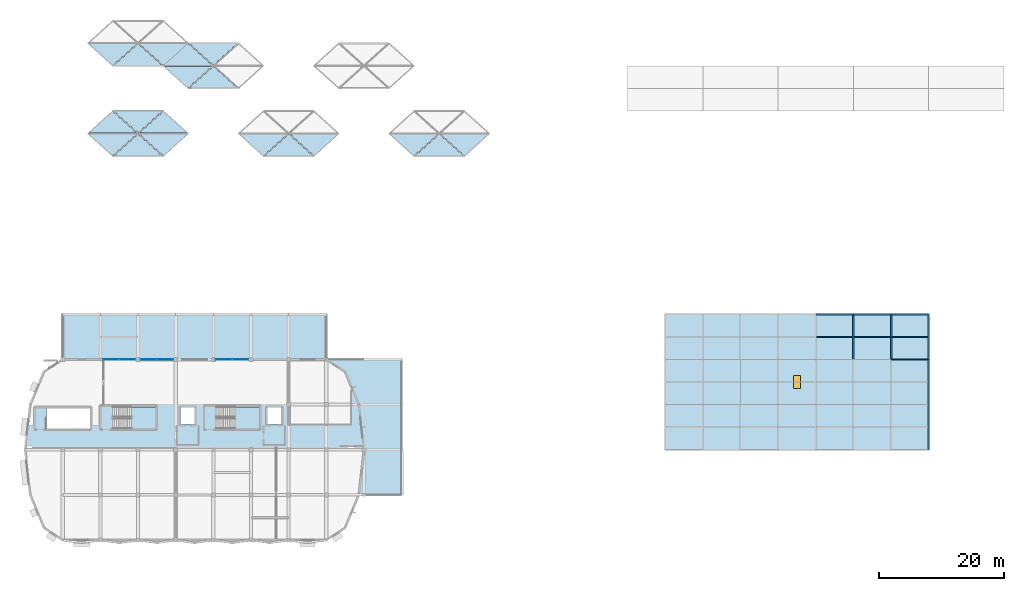
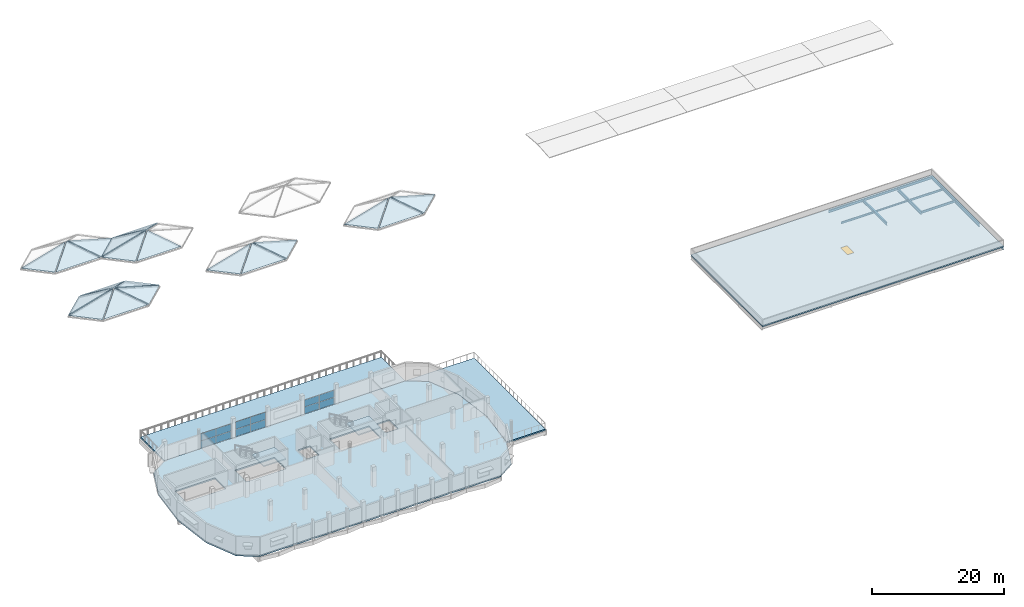
# One storey, part 10 of 19: 25 slabs, 12 beams, 12 plates, 1 window, 1 opening, 5 elements without a shape of their own.
"""IFC4 building model written with IfcOpenShell, lengths in metres."""

from ifc_helpers import new_model, si_unit, direction, frame, origin, origin_2d, place, context, subcontext, project, spatial, polyline, rectangle, i_section, outline, extrude, material, layer, layer_set, material_profile, profile_set, type_object, element, fill, aggregate, save


model = new_model("IFC4")

# Units and contexts
model_context = context("Model", 3, precision=1e-05, world=origin(), true_north=direction((0.0, 1.0)))
body_context = subcontext(model_context, "Body", "Model", "MODEL_VIEW")
ifc_project = project(units=[si_unit("LENGTHUNIT", "METRE"), si_unit("AREAUNIT", "SQUARE_METRE"), si_unit("VOLUMEUNIT", "CUBIC_METRE"), si_unit("PLANEANGLEUNIT", "RADIAN"), si_unit("MASSUNIT", "GRAM", prefix="KILO")], contexts=[model_context])

# Site, building, storey
site_placement = place(None, origin())
site = spatial("IfcSite", under=ifc_project, at=site_placement, CompositionType="ELEMENT")
building_placement = place(site_placement, origin())
building = spatial("IfcBuilding", under=site, at=building_placement, Name="Dunvalen Ferry Terminal", CompositionType="ELEMENT")
storey_placement = place(building_placement, frame((0.0, 0.0, 13.580078125)))
storey = spatial("IfcBuildingStorey", under=building, at=storey_placement, Name="L03", CompositionType="ELEMENT", Elevation=13.580078125)

# Beams
ifc_material_1 = material(Name="Steel S355", Category="steel")
ifc_material_profile_1 = material_profile(ifc_material_1, i_section(OverallWidth=0.1650390625, OverallDepth=0.303466796875, WebThickness=0.006103515625, FlangeThickness=0.01025390625, FilletRadius=0.0087890625, at=origin_2d()), Name="Steel S355")
ifc_profile_set_1 = profile_set([ifc_material_profile_1], Name="Steel S355")
beam_type_1 = type_object("IfcBeamType", Name="STR-BM-UKB305", PredefinedType="JOIST", material=ifc_profile_set_1)
beam_1_placement = place(storey_placement, frame((144.10009765625, 32.39990234375, -0.391845703125), z_axis=(1.0, 0.0, 0.0), x_axis=(0.0, 1.0, 0.0)))
element("IfcBeam", 1, at=beam_1_placement, inside=storey, type_object=beam_type_1, Name="L03 V4P Secondary Joist 018", PredefinedType="JOIST", context=body_context, shape_type="SweptSolid", body=[
    extrude(i_section(OverallWidth=0.1650390625, OverallDepth=0.303466796875, WebThickness=0.006103515625, FlangeThickness=0.01025390625, FilletRadius=0.0087890625, at=origin_2d()), origin(), (0.0, 0.0, 1.0), 5.7998046875),
])
ifc_material_profile_2 = material_profile(ifc_material_1, i_section(OverallWidth=0.17138671875, OverallDepth=0.35498046875, WebThickness=0.00732421875, FlangeThickness=0.011474609375, FilletRadius=0.01025390625, at=origin_2d()), Name="Steel S355")
ifc_profile_set_2 = profile_set([ifc_material_profile_2], Name="Steel S355")
beam_type_2 = type_object("IfcBeamType", Name="STR-BM-UKB356", PredefinedType="JOIST", material=ifc_profile_set_2)
for number, where, z_axis, x_axis, name in (
    (2, (138.10009765625, 32.39990234375, -0.41748046875), (1.0, 0.0, 0.0), (0.0, 1.0, 0.0), "L03 V4P Secondary Joist 015"),
    (3, (150.10009765625, 32.39990234375, -0.41748046875), (1.0, 0.0, 0.0), (0.0, 1.0, 0.0), "L03 V4P Secondary Joist 021"),
):
    element("IfcBeam", number, at=place(storey_placement, frame(where, z_axis=z_axis, x_axis=x_axis)), inside=storey, type_object=beam_type_2, Name=name, PredefinedType="JOIST", context=body_context, shape_type="SweptSolid", body=[
        extrude(i_section(OverallWidth=0.17138671875, OverallDepth=0.35498046875, WebThickness=0.00732421875, FlangeThickness=0.011474609375, FilletRadius=0.01025390625, at=origin_2d()), origin(), (0.0, 0.0, 1.0), 5.7998046875),
    ])
ifc_material_profile_3 = material_profile(ifc_material_1, i_section(OverallWidth=0.177978515625, OverallDepth=0.406494140625, WebThickness=0.0078125, FlangeThickness=0.0126953125, FilletRadius=0.01025390625, at=origin_2d()), Name="Steel S355")
ifc_profile_set_3 = profile_set([ifc_material_profile_3], Name="Steel S355")
beam_type_3 = type_object("IfcBeamType", Name="STR-BM-UKB406", PredefinedType="JOIST", material=ifc_profile_set_3)
for number, where, z_axis, x_axis, name in (
    (4, (150.0, 28.800048828125, -0.443359375), (1.0, 0.0, 0.0), (0.0, 1.0, 0.0), "L03 V4P Primary Beam X-021"),
    (5, (144.0, 36.0, -0.443359375), (1.0, 0.0, 0.0), (0.0, 1.0, 0.0), "L03 V4P Primary Beam X-027"),
):
    element("IfcBeam", number, at=place(storey_placement, frame(where, z_axis=z_axis, x_axis=x_axis)), inside=storey, type_object=beam_type_3, Name=name, PredefinedType="JOIST", context=body_context, shape_type="SweptSolid", body=[
        extrude(i_section(OverallWidth=0.177978515625, OverallDepth=0.406494140625, WebThickness=0.0078125, FlangeThickness=0.0126953125, FilletRadius=0.01025390625, at=origin_2d()), origin(), (0.0, 0.0, 1.0), 6.0),
    ])
ifc_material_profile_4 = material_profile(ifc_material_1, i_section(OverallWidth=0.1904296875, OverallDepth=0.45703125, WebThickness=0.009033203125, FlangeThickness=0.014404296875, FilletRadius=0.01025390625, at=origin_2d()), Name="Steel S355")
ifc_profile_set_4 = profile_set([ifc_material_profile_4], Name="Steel S355")
beam_type_4 = type_object("IfcBeamType", Name="STR-BM-UKB457", PredefinedType="BEAM", material=ifc_profile_set_4)
for number, where, z_axis, x_axis, name in (
    (6, (138.0, 36.0, -0.468505859375), (1.0, 0.0, 0.0), (0.0, 1.0, 0.0), "L03 V4P Primary Beam X-026"),
    (7, (150.0, 36.0, -0.468505859375), (1.0, 0.0, 0.0), (0.0, 1.0, 0.0), "L03 V4P Primary Beam X-028"),
):
    element("IfcBeam", number, at=place(storey_placement, frame(where, z_axis=z_axis, x_axis=x_axis)), inside=storey, type_object=beam_type_4, Name=name, PredefinedType="BEAM", context=body_context, shape_type="SweptSolid", body=[
        extrude(i_section(OverallWidth=0.1904296875, OverallDepth=0.45703125, WebThickness=0.009033203125, FlangeThickness=0.014404296875, FilletRadius=0.01025390625, at=origin_2d()), origin(), (0.0, 0.0, 1.0), 6.0),
    ])
ifc_material_profile_5 = material_profile(ifc_material_1, i_section(OverallWidth=0.209228515625, OverallDepth=0.533203125, WebThickness=0.010009765625, FlangeThickness=0.015625, FilletRadius=0.0126953125, at=origin_2d()), Name="Steel S355")
ifc_profile_set_5 = profile_set([ifc_material_profile_5], Name="Steel S355")
beam_type_5 = type_object("IfcBeamType", Name="STR-BM-UKB533", PredefinedType="BEAM", material=ifc_profile_set_5)
beam_2_placement = place(storey_placement, frame((144.0, 28.800048828125, -0.506591796875), z_axis=(0.0, 1.0, 0.0), x_axis=(-1.0, 0.0, 0.0)))
element("IfcBeam", 8, at=beam_2_placement, inside=storey, type_object=beam_type_5, Name="L03 V4P Primary Girder Y-046", PredefinedType="BEAM", context=body_context, shape_type="SweptSolid", body=[
    extrude(i_section(OverallWidth=0.209228515625, OverallDepth=0.533203125, WebThickness=0.010009765625, FlangeThickness=0.015625, FilletRadius=0.0126953125, at=origin_2d()), origin(), (0.0, 0.0, 1.0), 7.199951171875),
])
beam_3_placement = place(storey_placement, frame((156.0, 14.39990234375, -0.506591796875), z_axis=(0.0, 1.0, 0.0), x_axis=(-1.0, 0.0, 0.0)))
element("IfcBeam", 9, at=beam_3_placement, inside=storey, type_object=beam_type_5, Name="L03 V4P Primary Girder Y-050", PredefinedType="BEAM", context=body_context, shape_type="SweptSolid", body=[
    extrude(i_section(OverallWidth=0.209228515625, OverallDepth=0.533203125, WebThickness=0.010009765625, FlangeThickness=0.015625, FilletRadius=0.0126953125, at=origin_2d()), origin(), (0.0, 0.0, 1.0), 7.2001953125),
])
beam_4_placement = place(storey_placement, frame((156.0, 28.800048828125, -0.506591796875), z_axis=(0.0, 1.0, 0.0), x_axis=(-1.0, 0.0, 0.0)))
element("IfcBeam", 10, at=beam_4_placement, inside=storey, type_object=beam_type_5, Name="L03 V4P Primary Girder Y-052", PredefinedType="BEAM", context=body_context, shape_type="SweptSolid", body=[
    extrude(i_section(OverallWidth=0.209228515625, OverallDepth=0.533203125, WebThickness=0.010009765625, FlangeThickness=0.015625, FilletRadius=0.0126953125, at=origin_2d()), origin(), (0.0, 0.0, 1.0), 7.199951171875),
])
ifc_material_profile_6 = material_profile(ifc_material_1, i_section(OverallWidth=0.228271484375, OverallDepth=0.607666015625, WebThickness=0.010986328125, FlangeThickness=0.017333984375, FilletRadius=0.0126953125, at=origin_2d()), Name="Steel S355")
ifc_profile_set_6 = profile_set([ifc_material_profile_6], Name="Steel S355")
beam_type_6 = type_object("IfcBeamType", Name="STR-BM-UKB610", PredefinedType="BEAM", material=ifc_profile_set_6)
for number, where, z_axis, x_axis, name in (
    (11, (150.0, 28.800048828125, -0.5439453125), (0.0, 1.0, 0.0), (-1.0, 0.0, 0.0), "L03 V4P Primary Girder Y-049"),
    (12, (156.0, 21.60009765625, -0.5439453125), (0.0, 1.0, 0.0), (-1.0, 0.0, 0.0), "L03 V4P Primary Girder Y-051"),
):
    element("IfcBeam", number, at=place(storey_placement, frame(where, z_axis=z_axis, x_axis=x_axis)), inside=storey, type_object=beam_type_6, Name=name, PredefinedType="BEAM", context=body_context, shape_type="SweptSolid", body=[
        extrude(i_section(OverallWidth=0.228271484375, OverallDepth=0.607666015625, WebThickness=0.010986328125, FlangeThickness=0.017333984375, FilletRadius=0.0126953125, at=origin_2d()), origin(), (0.0, 0.0, 1.0), 7.199951171875),
    ])

# Curtain wall, plates
ifc_material_2 = material(Name="Anodised marine aluminium and solar-control glazing", Category="aluminium")
ifc_layer_1 = layer(ifc_material_2, 0.14990234375, Name="Anodised marine aluminium and solar-control glazing")
ifc_layer_set_1 = layer_set([ifc_layer_1], Name="Anodised marine aluminium and solar-control glazing")
curtain_wall_type = type_object("IfcCurtainWallType", Name="ENV-CW-SYS-11", PredefinedType="NOTDEFINED", material=ifc_layer_set_1)
curtain_wall_1_placement = place(storey_placement, origin())
curtain_wall_1 = element("IfcCurtainWall", 13, at=curtain_wall_1_placement, inside=storey, type_object=curtain_wall_type, Name="L03 Curtain Wall CW-V5CORE-L03-7-2", PredefinedType="NOTDEFINED")
ifc_material_3 = material(Name="Low-E solar-control laminated double glazing", Category="glass")
ifc_layer_2 = layer(ifc_material_3, 0.031982421875, Name="Low-E solar-control laminated double glazing")
ifc_layer_set_2 = layer_set([ifc_layer_2], Name="Low-E solar-control laminated double glazing")
plate_type = type_object("IfcPlateType", Name="ENV-CW-PNL-2", PredefinedType="CURTAIN_PANEL", material=ifc_layer_set_2)
plate_1_placement = place(storey_placement, frame((46.30615234375, 28.800048828125, 0.054931640625), z_axis=(0.0, 0.0, 1.0), x_axis=(-1.0, 0.0, 0.0)))
plate_1 = element("IfcPlate", 14, at=plate_1_placement, type_object=plate_type, Name="CW-11 panel 1.1", PredefinedType="CURTAIN_PANEL", context=body_context, shape_type="SweptSolid", body=[
    extrude(rectangle(XDim=2.5576171875, YDim=0.031982421875, at=origin_2d()), origin(), (0.0, 0.0, 1.0), 1.25244140625),
])
plate_2_placement = place(storey_placement, frame((46.30615234375, 28.800048828125, 1.362548828125), z_axis=(0.0, 0.0, 1.0), x_axis=(-1.0, 0.0, 0.0)))
plate_2 = element("IfcPlate", 15, at=plate_2_placement, type_object=plate_type, Name="CW-11 panel 1.2", PredefinedType="CURTAIN_PANEL", context=body_context, shape_type="SweptSolid", body=[
    extrude(rectangle(XDim=2.5576171875, YDim=0.031982421875, at=origin_2d()), origin(), (0.0, 0.0, 1.0), 1.25244140625),
])
plate_3_placement = place(storey_placement, frame((43.69384765625, 28.800048828125, 0.054931640625), z_axis=(0.0, 0.0, 1.0), x_axis=(-1.0, 0.0, 0.0)))
plate_3 = element("IfcPlate", 16, at=plate_3_placement, type_object=plate_type, Name="CW-11 panel 2.1", PredefinedType="CURTAIN_PANEL", context=body_context, shape_type="SweptSolid", body=[
    extrude(rectangle(XDim=2.5576171875, YDim=0.031982421875, at=origin_2d()), origin(), (0.0, 0.0, 1.0), 1.25244140625),
])
plate_4_placement = place(storey_placement, frame((43.69384765625, 28.800048828125, 1.362548828125), z_axis=(0.0, 0.0, 1.0), x_axis=(-1.0, 0.0, 0.0)))
plate_4 = element("IfcPlate", 17, at=plate_4_placement, type_object=plate_type, Name="CW-11 panel 2.2", PredefinedType="CURTAIN_PANEL", context=body_context, shape_type="SweptSolid", body=[
    extrude(rectangle(XDim=2.5576171875, YDim=0.031982421875, at=origin_2d()), origin(), (0.0, 0.0, 1.0), 1.25244140625),
])
aggregate(curtain_wall_1, [plate_1, plate_2, plate_3, plate_4])

curtain_wall_2_placement = place(storey_placement, origin())
curtain_wall_2 = element("IfcCurtainWall", 18, at=curtain_wall_2_placement, inside=storey, type_object=curtain_wall_type, Name="L03 Curtain Wall CW-V5CORE-L03-7-4", PredefinedType="NOTDEFINED")
plate_5_placement = place(storey_placement, frame((34.30615234375, 28.800048828125, 0.05517578125), z_axis=(0.0, 0.0, 1.0), x_axis=(-1.0, 0.0, 0.0)))
plate_5 = element("IfcPlate", 19, at=plate_5_placement, type_object=plate_type, Name="CW-11 panel 1.1", PredefinedType="CURTAIN_PANEL", context=body_context, shape_type="SweptSolid", body=[
    extrude(rectangle(XDim=2.5576171875, YDim=0.031982421875, at=origin_2d()), origin(), (0.0, 0.0, 1.0), 1.327392578125),
])
plate_6_placement = place(storey_placement, frame((34.30615234375, 28.800048828125, 1.4375), z_axis=(0.0, 0.0, 1.0), x_axis=(-1.0, 0.0, 0.0)))
plate_6 = element("IfcPlate", 20, at=plate_6_placement, type_object=plate_type, Name="CW-11 panel 1.2", PredefinedType="CURTAIN_PANEL", context=body_context, shape_type="SweptSolid", body=[
    extrude(rectangle(XDim=2.5576171875, YDim=0.031982421875, at=origin_2d()), origin(), (0.0, 0.0, 1.0), 1.327392578125),
])
plate_7_placement = place(storey_placement, frame((31.69384765625, 28.800048828125, 0.05517578125), z_axis=(0.0, 0.0, 1.0), x_axis=(-1.0, 0.0, 0.0)))
plate_7 = element("IfcPlate", 21, at=plate_7_placement, type_object=plate_type, Name="CW-11 panel 2.1", PredefinedType="CURTAIN_PANEL", context=body_context, shape_type="SweptSolid", body=[
    extrude(rectangle(XDim=2.5576171875, YDim=0.031982421875, at=origin_2d()), origin(), (0.0, 0.0, 1.0), 1.327392578125),
])
plate_8_placement = place(storey_placement, frame((31.69384765625, 28.800048828125, 1.4375), z_axis=(0.0, 0.0, 1.0), x_axis=(-1.0, 0.0, 0.0)))
plate_8 = element("IfcPlate", 22, at=plate_8_placement, type_object=plate_type, Name="CW-11 panel 2.2", PredefinedType="CURTAIN_PANEL", context=body_context, shape_type="SweptSolid", body=[
    extrude(rectangle(XDim=2.5576171875, YDim=0.031982421875, at=origin_2d()), origin(), (0.0, 0.0, 1.0), 1.327392578125),
])
aggregate(curtain_wall_2, [plate_5, plate_6, plate_7, plate_8])

curtain_wall_3_placement = place(storey_placement, origin())
curtain_wall_3 = element("IfcCurtainWall", 23, at=curtain_wall_3_placement, inside=storey, type_object=curtain_wall_type, Name="L03 Curtain Wall CW-V5CORE-L03-7-5", PredefinedType="NOTDEFINED")
plate_9_placement = place(storey_placement, frame((28.30615234375, 28.800048828125, 0.0546875), z_axis=(0.0, 0.0, 1.0), x_axis=(-1.0, 0.0, 0.0)))
plate_9 = element("IfcPlate", 24, at=plate_9_placement, type_object=plate_type, Name="CW-11 panel 1.1", PredefinedType="CURTAIN_PANEL", context=body_context, shape_type="SweptSolid", body=[
    extrude(rectangle(XDim=2.5576171875, YDim=0.031982421875, at=origin_2d()), origin(), (0.0, 0.0, 1.0), 1.302490234375),
])
plate_10_placement = place(storey_placement, frame((28.30615234375, 28.800048828125, 1.41259765625), z_axis=(0.0, 0.0, 1.0), x_axis=(-1.0, 0.0, 0.0)))
plate_10 = element("IfcPlate", 25, at=plate_10_placement, type_object=plate_type, Name="CW-11 panel 1.2", PredefinedType="CURTAIN_PANEL", context=body_context, shape_type="SweptSolid", body=[
    extrude(rectangle(XDim=2.5576171875, YDim=0.031982421875, at=origin_2d()), origin(), (0.0, 0.0, 1.0), 1.302490234375),
])
plate_11_placement = place(storey_placement, frame((25.69384765625, 28.800048828125, 0.0546875), z_axis=(0.0, 0.0, 1.0), x_axis=(-1.0, 0.0, 0.0)))
plate_11 = element("IfcPlate", 26, at=plate_11_placement, type_object=plate_type, Name="CW-11 panel 2.1", PredefinedType="CURTAIN_PANEL", context=body_context, shape_type="SweptSolid", body=[
    extrude(rectangle(XDim=2.5576171875, YDim=0.031982421875, at=origin_2d()), origin(), (0.0, 0.0, 1.0), 1.302490234375),
])
plate_12_placement = place(storey_placement, frame((25.69384765625, 28.800048828125, 1.41259765625), z_axis=(0.0, 0.0, 1.0), x_axis=(-1.0, 0.0, 0.0)))
plate_12 = element("IfcPlate", 27, at=plate_12_placement, type_object=plate_type, Name="CW-11 panel 2.2", PredefinedType="CURTAIN_PANEL", context=body_context, shape_type="SweptSolid", body=[
    extrude(rectangle(XDim=2.5576171875, YDim=0.031982421875, at=origin_2d()), origin(), (0.0, 0.0, 1.0), 1.302490234375),
])
aggregate(curtain_wall_3, [plate_9, plate_10, plate_11, plate_12])

# Stair, slab
ifc_material_4 = material(Name="Concrete C35/45", Category="concrete")
stair_type = type_object("IfcStairType", Name="INT-ST-DLG-06", PredefinedType="HALF_TURN_STAIR", material=ifc_material_4)
stair_1_placement = place(storey_placement, origin())
stair_1 = element("IfcStair", 28, at=stair_1_placement, inside=storey, type_object=stair_type, Name="L03 Protected Escape Stair 1", PredefinedType="HALF_TURN_STAIR")
ifc_layer_3 = layer(ifc_material_4, 0.199951171875, Name="Concrete C35/45")
ifc_layer_set_3 = layer_set([ifc_layer_3], Name="Concrete C35/45")
slab_type_1 = type_object("IfcSlabType", Name="INT-SLB-LND200", PredefinedType="LANDING", material=ifc_layer_set_3)
slab_1_placement = place(storey_placement, frame((0.0, 0.0, 1.669921875)))
slab_1 = element("IfcSlab", 29, at=slab_1_placement, type_object=slab_type_1, Name="ST1 landing 1", PredefinedType="LANDING", context=body_context, shape_type="SweptSolid", body=[
    extrude(outline(polyline([(28.949951171875, 17.75), (32.85009765625, 17.75), (32.85009765625, 21.25), (28.949951171875, 21.25), (28.949951171875, 17.75)])), origin(), (0.0, 0.0, 1.0), 0.199951171875),
])
aggregate(stair_1, [slab_1])

stair_2_placement = place(storey_placement, origin())
stair_2 = element("IfcStair", 30, at=stair_2_placement, inside=storey, type_object=stair_type, Name="L03 Protected Escape Stair 2", PredefinedType="HALF_TURN_STAIR")
slab_2_placement = place(storey_placement, frame((0.0, 0.0, 1.669921875)))
slab_2 = element("IfcSlab", 31, at=slab_2_placement, type_object=slab_type_1, Name="ST2 landing 1", PredefinedType="LANDING", context=body_context, shape_type="SweptSolid", body=[
    extrude(outline(polyline([(45.449951171875, 17.75), (49.35009765625, 17.75), (49.35009765625, 21.25), (45.449951171875, 21.25), (45.449951171875, 17.75)])), origin(), (0.0, 0.0, 1.0), 0.199951171875),
])
aggregate(stair_2, [slab_2])

# Slabs
ifc_material_5 = material(Name="Precast concrete C40/50 - Deep Navy Marine Enamel", Category="concrete")
ifc_layer_4 = layer(ifc_material_5, 0.159912109375, Name="Precast concrete C40/50 - Deep Navy Marine Enamel")
ifc_layer_set_4 = layer_set([ifc_layer_4], Name="Precast concrete C40/50 - Deep Navy Marine Enamel")
slab_type_2 = type_object("IfcSlabType", Name="STR-ROOF-PYRCAP", PredefinedType="ROOF", material=ifc_layer_set_4)
slab_3_placement = place(storey_placement, frame((22.091064453125, 64.718017578125, 3.56982421875), z_axis=(-0.263217989869, -0.292462371401, 0.919337832967), x_axis=(0.743291801261, -0.668967337154, 0.0)))
element("IfcSlab", 32, at=slab_3_placement, inside=storey, type_object=slab_type_2, Name="HEX-14 Hexagonal Drum Steep Pyramid Concrete Cap 1", PredefinedType="ROOF", context=body_context, shape_type="SweptSolid", body=[
    extrude(outline(polyline([(0.0, 0.0), (5.176836854784256, 0.0), (5.7194997539386, 5.5992322766414), (0.0, 0.0)])), origin(), (0.0, 0.0, -1.0), 0.159912109375),
])
slab_4_placement = place(storey_placement, frame((26.123046875, 61.199951171875, 3.56982421875), z_axis=(0.0, -0.536757093287, 0.843736820819), x_axis=(1.0, 0.0, 0.0)))
element("IfcSlab", 33, at=slab_4_placement, inside=storey, type_object=slab_type_2, Name="HEX-14 Hexagonal Drum Steep Pyramid Concrete Cap 2", PredefinedType="ROOF", context=body_context, shape_type="SweptSolid", body=[
    extrude(outline(polyline([(0.0, 0.0), (7.75390625, 0.0), (3.876953125, 4.136349331045518), (0.0, 0.0)])), origin(), (0.0, 0.0, -1.0), 0.159912109375),
])
slab_5_placement = place(storey_placement, frame((34.06103515625, 61.2548828125, 3.56982421875), z_axis=(0.263217989869, -0.292462371401, 0.919337832967), x_axis=(0.743291801261, 0.668967337154, 0.0)))
element("IfcSlab", 34, at=slab_5_placement, inside=storey, type_object=slab_type_2, Name="HEX-14 Hexagonal Drum Steep Pyramid Concrete Cap 3", PredefinedType="ROOF", context=body_context, shape_type="SweptSolid", body=[
    extrude(outline(polyline([(0.0, 0.0), (5.176836854784256, 0.0), (-0.5426628991543446, 5.5992322766414), (0.0, 0.0)])), origin(), (0.0, 0.0, -1.0), 0.159912109375),
])
slab_6_placement = place(storey_placement, frame((37.908935546875, 64.882080078125, 3.56982421875), z_axis=(0.263216402535, 0.29248122676, 0.919332288908), x_axis=(-0.743315251381, 0.66894128073, 0.0)))
element("IfcSlab", 35, at=slab_6_placement, inside=storey, type_object=slab_type_2, Name="HEX-14 Hexagonal Drum Steep Pyramid Concrete Cap 4", PredefinedType="ROOF", context=body_context, shape_type="SweptSolid", body=[
    extrude(outline(polyline([(0.0, 0.0), (5.176673535861125, -4.440892098500626e-16), (5.719680198491304, 5.599047950328076), (0.0, 0.0)])), origin(), (0.0, 0.0, -1.0), 0.159912109375),
])
slab_7_placement = place(storey_placement, frame((33.876953125, 68.39990234375, 3.56982421875), z_axis=(0.0, 0.536757093287, 0.843736820819), x_axis=(-1.0, 0.0, 0.0)))
element("IfcSlab", 36, at=slab_7_placement, inside=storey, type_object=slab_type_2, Name="HEX-14 Hexagonal Drum Steep Pyramid Concrete Cap 5", PredefinedType="ROOF", context=body_context, shape_type="SweptSolid", body=[
    extrude(outline(polyline([(0.0, 0.0), (7.75390625, 0.0), (3.876953125, 4.136349331045518), (0.0, 0.0)])), origin(), (0.0, 0.0, -1.0), 0.159912109375),
])
slab_8_placement = place(storey_placement, frame((25.93896484375, 68.344970703125, 3.56982421875), z_axis=(-0.263216402535, 0.29248122676, 0.919332288908), x_axis=(-0.743315251381, -0.66894128073, 0.0)))
element("IfcSlab", 37, at=slab_8_placement, inside=storey, type_object=slab_type_2, Name="HEX-14 Hexagonal Drum Steep Pyramid Concrete Cap 6", PredefinedType="ROOF", context=body_context, shape_type="SweptSolid", body=[
    extrude(outline(polyline([(0.0, 0.0), (5.176673535861125, 4.440892098500626e-16), (-0.5430066626301794, 5.599047950328076), (0.0, 0.0)])), origin(), (0.0, 0.0, -1.0), 0.159912109375),
])
slab_9_placement = place(storey_placement, frame((22.091064453125, 79.117919921875, 3.56982421875), z_axis=(-0.263216402535, -0.29248122676, 0.919332288908), x_axis=(0.743315251381, -0.66894128073, 0.0)))
element("IfcSlab", 38, at=slab_9_placement, inside=storey, type_object=slab_type_2, Name="HEX-16 Hexagonal Drum Steep Pyramid Concrete Cap 1", PredefinedType="ROOF", context=body_context, shape_type="SweptSolid", body=[
    extrude(outline(polyline([(0.0, 0.0), (5.176673535861125, -4.440892098500626e-16), (5.719680198491304, 5.599047950328076), (0.0, 0.0)])), origin(), (0.0, 0.0, -1.0), 0.159912109375),
])
slab_10_placement = place(storey_placement, frame((26.123046875, 75.60009765625, 3.56982421875), z_axis=(0.0, -0.536757093287, 0.843736820819), x_axis=(1.0, 0.0, 0.0)))
element("IfcSlab", 39, at=slab_10_placement, inside=storey, type_object=slab_type_2, Name="HEX-16 Hexagonal Drum Steep Pyramid Concrete Cap 2", PredefinedType="ROOF", context=body_context, shape_type="SweptSolid", body=[
    extrude(outline(polyline([(0.0, 0.0), (7.75390625, 0.0), (3.876953125, 4.136349331045518), (0.0, 0.0)])), origin(), (0.0, 0.0, -1.0), 0.159912109375),
])
slab_11_placement = place(storey_placement, frame((34.06103515625, 75.655029296875, 3.56982421875), z_axis=(0.263216402535, -0.29248122676, 0.919332288908), x_axis=(0.743315251381, 0.66894128073, 0.0)))
element("IfcSlab", 40, at=slab_11_placement, inside=storey, type_object=slab_type_2, Name="HEX-16 Hexagonal Drum Steep Pyramid Concrete Cap 3", PredefinedType="ROOF", context=body_context, shape_type="SweptSolid", body=[
    extrude(outline(polyline([(0.0, 0.0), (5.176673535861125, 4.440892098500626e-16), (-0.5430066626301794, 5.599047950328076), (0.0, 0.0)])), origin(), (0.0, 0.0, -1.0), 0.159912109375),
])
slab_12_placement = place(storey_placement, frame((34.091064453125, 75.51806640625, 3.56982421875), z_axis=(-0.263217989869, -0.292462371401, 0.919337832967), x_axis=(0.743291801261, -0.668967337154, 0.0)))
element("IfcSlab", 41, at=slab_12_placement, inside=storey, type_object=slab_type_2, Name="HEX-21 Hexagonal Drum Steep Pyramid Concrete Cap 1", PredefinedType="ROOF", context=body_context, shape_type="SweptSolid", body=[
    extrude(outline(polyline([(0.0, 0.0), (5.176836854784256, 0.0), (5.7194997539386, 5.5992322766414), (0.0, 0.0)])), origin(), (0.0, 0.0, -1.0), 0.159912109375),
])
for number, where, z_axis, x_axis, name in (
    (42, (38.123046875, 72.0, 3.56982421875), (0.0, -0.536757093287, 0.843736820819), (1.0, 0.0, 0.0), "HEX-21 Hexagonal Drum Steep Pyramid Concrete Cap 2"),
    (43, (45.876953125, 79.199951171875, 3.56982421875), (0.0, 0.536757093287, 0.843736820819), (-1.0, 0.0, 0.0), "HEX-21 Hexagonal Drum Steep Pyramid Concrete Cap 5"),
):
    element("IfcSlab", number, at=place(storey_placement, frame(where, z_axis=z_axis, x_axis=x_axis)), inside=storey, type_object=slab_type_2, Name=name, PredefinedType="ROOF", context=body_context, shape_type="SweptSolid", body=[
        extrude(outline(polyline([(0.0, 0.0), (7.75390625, 0.0), (3.876953125, 4.136349331045518), (0.0, 0.0)])), origin(), (0.0, 0.0, -1.0), 0.159912109375),
    ])
slab_13_placement = place(storey_placement, frame((37.93896484375, 79.14501953125, 3.56982421875), z_axis=(-0.263217989869, 0.292462371401, 0.919337832967), x_axis=(-0.743291801261, -0.668967337154, 0.0)))
element("IfcSlab", 44, at=slab_13_placement, inside=storey, type_object=slab_type_2, Name="HEX-21 Hexagonal Drum Steep Pyramid Concrete Cap 6", PredefinedType="ROOF", context=body_context, shape_type="SweptSolid", body=[
    extrude(outline(polyline([(0.0, 0.0), (5.176836854784256, 0.0), (-0.5426628991543446, 5.5992322766414), (0.0, 0.0)])), origin(), (0.0, 0.0, -1.0), 0.159912109375),
])
slab_14_placement = place(storey_placement, frame((46.091064453125, 64.718017578125, 3.56982421875), z_axis=(-0.263217989869, -0.292462371401, 0.919337832967), x_axis=(0.743291801261, -0.668967337154, 0.0)))
element("IfcSlab", 45, at=slab_14_placement, inside=storey, type_object=slab_type_2, Name="HEX-25 Hexagonal Drum Steep Pyramid Concrete Cap 1", PredefinedType="ROOF", context=body_context, shape_type="SweptSolid", body=[
    extrude(outline(polyline([(0.0, 0.0), (5.176836854784256, 0.0), (5.7194997539386, 5.5992322766414), (0.0, 0.0)])), origin(), (0.0, 0.0, -1.0), 0.159912109375),
])
slab_15_placement = place(storey_placement, frame((50.123046875, 61.199951171875, 3.56982421875), z_axis=(0.0, -0.536757093287, 0.843736820819), x_axis=(1.0, 0.0, 0.0)))
element("IfcSlab", 46, at=slab_15_placement, inside=storey, type_object=slab_type_2, Name="HEX-25 Hexagonal Drum Steep Pyramid Concrete Cap 2", PredefinedType="ROOF", context=body_context, shape_type="SweptSolid", body=[
    extrude(outline(polyline([(0.0, 0.0), (7.75390625, 0.0), (3.876953125, 4.136349331045518), (0.0, 0.0)])), origin(), (0.0, 0.0, -1.0), 0.159912109375),
])
slab_16_placement = place(storey_placement, frame((58.06103515625, 61.2548828125, 3.56982421875), z_axis=(0.263217989869, -0.292462371401, 0.919337832967), x_axis=(0.743291801261, 0.668967337154, 0.0)))
element("IfcSlab", 47, at=slab_16_placement, inside=storey, type_object=slab_type_2, Name="HEX-25 Hexagonal Drum Steep Pyramid Concrete Cap 3", PredefinedType="ROOF", context=body_context, shape_type="SweptSolid", body=[
    extrude(outline(polyline([(0.0, 0.0), (5.176836854784256, 0.0), (-0.5426628991543446, 5.5992322766414), (0.0, 0.0)])), origin(), (0.0, 0.0, -1.0), 0.159912109375),
])
slab_17_placement = place(storey_placement, frame((70.091064453125, 64.718017578125, 3.56982421875), z_axis=(-0.263217989869, -0.292462371401, 0.919337832967), x_axis=(0.743291801261, -0.668967337154, 0.0)))
element("IfcSlab", 48, at=slab_17_placement, inside=storey, type_object=slab_type_2, Name="HEX-36 Hexagonal Drum Steep Pyramid Concrete Cap 1", PredefinedType="ROOF", context=body_context, shape_type="SweptSolid", body=[
    extrude(outline(polyline([(0.0, 0.0), (5.176836854784256, 0.0), (5.7194997539386, 5.5992322766414), (0.0, 0.0)])), origin(), (0.0, 0.0, -1.0), 0.159912109375),
])
slab_18_placement = place(storey_placement, frame((74.123046875, 61.199951171875, 3.56982421875), z_axis=(0.0, -0.536757093287, 0.843736820819), x_axis=(1.0, 0.0, 0.0)))
element("IfcSlab", 49, at=slab_18_placement, inside=storey, type_object=slab_type_2, Name="HEX-36 Hexagonal Drum Steep Pyramid Concrete Cap 2", PredefinedType="ROOF", context=body_context, shape_type="SweptSolid", body=[
    extrude(outline(polyline([(0.0, 0.0), (7.75390625, 0.0), (3.876953125, 4.136349331045518), (0.0, 0.0)])), origin(), (0.0, 0.0, -1.0), 0.159912109375),
])
slab_19_placement = place(storey_placement, frame((82.06103515625, 61.2548828125, 3.56982421875), z_axis=(0.263217989869, -0.292462371401, 0.919337832967), x_axis=(0.743291801261, 0.668967337154, 0.0)))
element("IfcSlab", 50, at=slab_19_placement, inside=storey, type_object=slab_type_2, Name="HEX-36 Hexagonal Drum Steep Pyramid Concrete Cap 3", PredefinedType="ROOF", context=body_context, shape_type="SweptSolid", body=[
    extrude(outline(polyline([(0.0, 0.0), (5.176836854784256, 0.0), (-0.5426628991543446, 5.5992322766414), (0.0, 0.0)])), origin(), (0.0, 0.0, -1.0), 0.159912109375),
])
ifc_material_6 = material(Name="Concrete C40/50", Category="concrete")
ifc_layer_5 = layer(ifc_material_6, 0.239990234375, Name="Concrete C40/50")
ifc_layer_set_5 = layer_set([ifc_layer_5], Name="Concrete C40/50")
slab_type_3 = type_object("IfcSlabType", Name="STR-SLB-BRG240", PredefinedType="FLOOR", material=ifc_layer_set_5)
slab_20_placement = place(storey_placement, frame((0.0, 0.0, -0.260009765625)))
element("IfcSlab", 51, at=slab_20_placement, inside=storey, type_object=slab_type_3, Name="L03 Pilotage East Viewing Terrace Slab", PredefinedType="FLOOR", context=body_context, shape_type="SweptSolid", body=[
    extrude(outline(polyline([(60.0, 28.800048828125), (63.0, 26.870849609375), (65.1962890625, 21.60009765625), (66.0, 14.39990234375), (65.1962890625, 7.199951171875), (72.0, 7.199951171875), (72.0, 28.800048828125), (60.0, 28.800048828125)])), origin(), (0.0, 0.0, 1.0), 0.260009765625),
])
slab_21_placement = place(storey_placement, frame((0.0, 0.0, -0.260009765625)))
element("IfcSlab", 52, at=slab_21_placement, inside=storey, type_object=slab_type_3, Name="L03 Harbour Court North Terrace Slab", PredefinedType="FLOOR", context=body_context, shape_type="SweptSolid", body=[
    extrude(outline(polyline([(18.0, 28.800048828125), (60.0, 28.800048828125), (60.0, 36.0), (18.0, 36.0), (18.0, 28.800048828125)])), origin(), (0.0, 0.0, 1.0), 0.260009765625),
])
ifc_layer_6 = layer(ifc_material_4, 0.260009765625, Name="Concrete C35/45")
ifc_layer_set_6 = layer_set([ifc_layer_6], Name="Concrete C35/45")
slab_type_4 = type_object("IfcSlabType", Name="STR-SLB-FLR260", PredefinedType="FLOOR", material=ifc_layer_set_6)
slab_22_placement = place(storey_placement, frame((0.0, 0.0, -0.260009765625)))
element("IfcSlab", 53, at=slab_22_placement, inside=storey, type_object=slab_type_4, Name="L03 Maritime Operations Wing Floor Slab", PredefinedType="FLOOR", context=body_context, shape_type="SweptSolid", body=[
    extrude(outline(polyline([(18.0, 0.0), (60.0, 0.0), (63.0, 1.92919921875), (65.1962890625, 7.199951171875), (66.0, 14.39990234375), (65.1962890625, 21.60009765625), (63.0, 26.870849609375), (60.0, 28.800048828125), (18.0, 28.800048828125), (15.0, 26.870849609375), (12.8037109375, 21.60009765625), (12.0, 14.39990234375), (12.8037109375, 7.199951171875), (15.0, 1.92919921875), (18.0, 0.0)]), holes=[polyline([(25.949951171875, 17.75), (32.85009765625, 17.75), (32.85009765625, 21.25), (25.949951171875, 21.25), (25.949951171875, 17.75)]), polyline([(42.449951171875, 17.75), (49.35009765625, 17.75), (49.35009765625, 21.25), (42.449951171875, 21.25), (42.449951171875, 17.75)]), polyline([(15.39990234375, 17.75), (22.35009765625, 17.75), (22.35009765625, 21.050048828125), (15.39990234375, 21.050048828125), (15.39990234375, 17.75)]), polyline([(36.800048828125, 18.449951171875), (39.0, 18.449951171875), (39.0, 21.14990234375), (36.800048828125, 21.14990234375), (36.800048828125, 18.449951171875)]), polyline([(50.60009765625, 18.449951171875), (52.800048828125, 18.449951171875), (52.800048828125, 21.14990234375), (50.60009765625, 21.14990234375), (50.60009765625, 18.449951171875)])]), origin(), (0.0, 0.0, 1.0), 0.260009765625),
])

# Slab, opening, window
ifc_layer_7 = layer(ifc_material_6, 0.239990234375, Name="Concrete C40/50")
ifc_layer_set_7 = layer_set([ifc_layer_7], Name="Concrete C40/50")
slab_type_5 = type_object("IfcSlabType", Name="STR-SLB-RF240", PredefinedType="ROOF", material=ifc_layer_set_7)
slab_23_placement = place(storey_placement, frame((0.0, 0.0, -0.239990234375)))
slab_23 = element("IfcSlab", 54, at=slab_23_placement, inside=storey, type_object=slab_type_5, Name="L03 Promenade Cafe Pavilion Roof Slab", PredefinedType="ROOF", context=body_context, shape_type="SweptSolid", body=[
    extrude(outline(polyline([(114.0, 14.39990234375), (156.0, 14.39990234375), (156.0, 36.0), (114.0, 36.0), (114.0, 14.39990234375)])), origin(), (0.0, 0.0, 1.0), 0.239990234375),
])
opening_placement = place(slab_23_placement, frame((135.0, 25.199951171875, 0.0)))
opening = element("IfcOpeningElement", 55, at=opening_placement, cuts=slab_23, Name="Opening SK-02", PredefinedType="OPENING", context=body_context, shape_type="SweptSolid", body=[
    extrude(rectangle(XDim=1.10009765625, YDim=2.10009765625, at=origin_2d()), origin(), (0.0, 0.0, 1.0), 0.239990234375),
])
ifc_material_7 = material(Name="Thermally broken aluminium and double glazing", Category="aluminium")
window_type = type_object("IfcWindowType", Name="ENV-SKY-HTH-02", PartitioningType="SINGLE_PANEL", PredefinedType="SKYLIGHT", material=ifc_material_7)
window_placement = place(opening_placement, frame((0.0, 0.0, 0.18994140625)))
window = element("IfcWindow", 56, at=window_placement, inside=storey, type_object=window_type, Name="L03 Promenade Pavilion Roof Access Hatch", OverallHeight=2.10009765625, OverallWidth=1.10009765625, PartitioningType="SINGLE_PANEL", PredefinedType="SKYLIGHT", context=body_context, shape_type="SweptSolid", body=[
    extrude(rectangle(XDim=1.10009765625, YDim=2.10009765625, at=origin_2d()), origin(), (0.0, 0.0, 1.0), 0.050048828125),
])
fill(opening, window)

save(model, "model.ifc")
